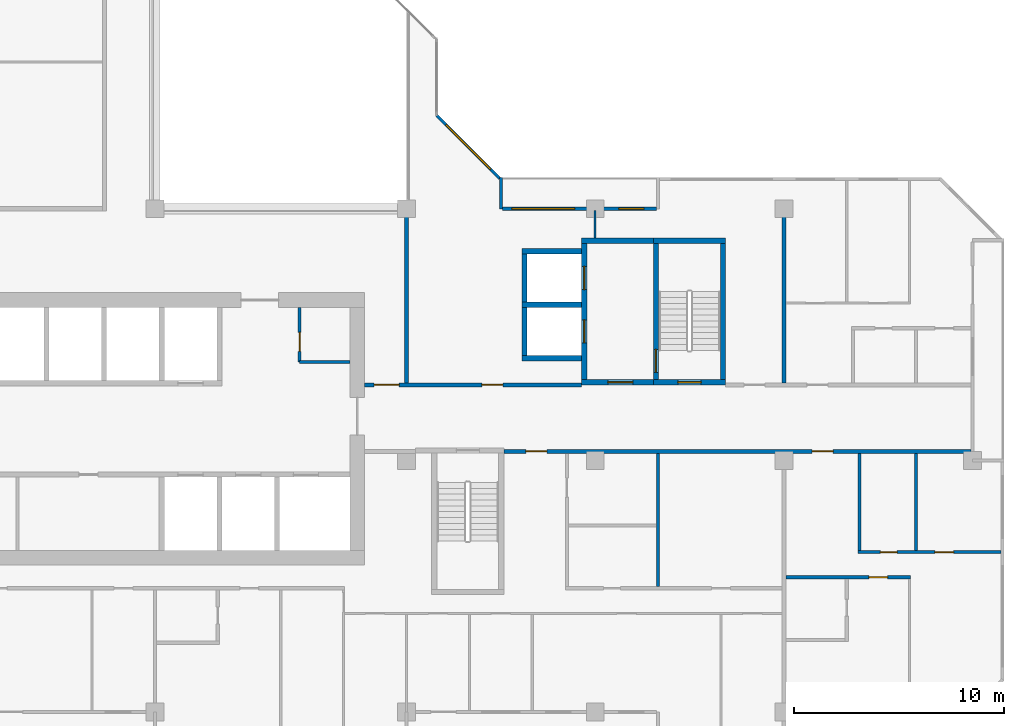
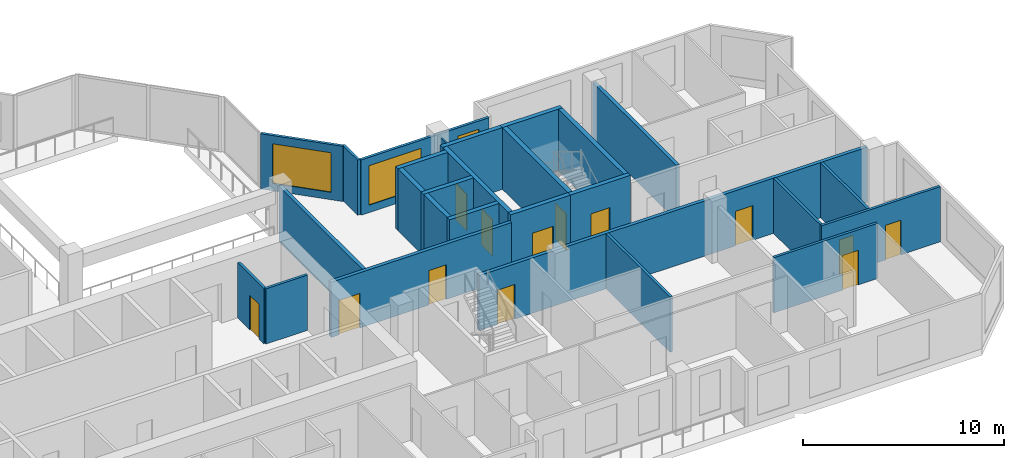
# One storey, part 7 of 14: 27 walls, 13 doors, 3 windows, 16 openings.
"""IFC4 building model written with IfcOpenShell, lengths in metres."""

from ifc_helpers import new_model, si_unit, direction, frame, frame_2d, origin, place, context, subcontext, project, spatial, rectangle, extrude, material, layer, layer_set, type_object, element, fill, save


model = new_model("IFC4")

# Units and contexts
model_context = context("Model", 3, precision=1e-05, world=origin(), true_north=direction((0.0, 1.0)))
body_context = subcontext(model_context, "Body", "Model", "MODEL_VIEW")
ifc_project = project(units=[si_unit("LENGTHUNIT", "METRE"), si_unit("AREAUNIT", "SQUARE_METRE"), si_unit("VOLUMEUNIT", "CUBIC_METRE"), si_unit("PLANEANGLEUNIT", "RADIAN"), si_unit("MASSUNIT", "GRAM", prefix="KILO")], contexts=[model_context])

# Site, building, storey
site_placement = place(None, origin())
site = spatial("IfcSite", under=ifc_project, at=site_placement, CompositionType="ELEMENT")
building_placement = place(site_placement, origin())
building = spatial("IfcBuilding", under=site, at=building_placement, Name="Chenar Terraces", CompositionType="ELEMENT")
storey_placement = place(building_placement, frame((0.0, 0.0, 230.39990234375)))
storey = spatial("IfcBuildingStorey", under=building, at=storey_placement, Name="L54", CompositionType="ELEMENT", Elevation=230.39990234375)

# Wall, opening, door
ifc_material_1 = material(Name="Gypsum board on steel studs", Category="steel")
ifc_layer_1 = layer(ifc_material_1, 0.14990234375)
ifc_layer_set_1 = layer_set([ifc_layer_1], Name="Gypsum board on steel studs")
wall_type_1 = type_object("IfcWallType", Name="Core partition 150 gypsum board", PredefinedType="PARTITIONING", material=ifc_layer_set_1)
wall_1_placement = place(storey_placement, frame((30.89990234375, 16.699951171875, 0.0), z_axis=(0.0, 0.0, 1.0), x_axis=(0.0, 1.0, 0.0)))
wall_1 = element("IfcWall", 1, at=wall_1_placement, inside=storey, type_object=wall_type_1, Name="Core partition CP1 vestibule room west wall", PredefinedType="PARTITIONING", context=body_context, shape_type="SweptSolid", body=[
    extrude(rectangle(XDim=2.60009765625, YDim=0.14990234375, at=frame_2d((1.300048828125, 0.0))), origin(), (0.0, 0.0, 1.0), 3.35009765625),
])
opening_1_placement = place(wall_1_placement, frame((0.5, 0.0, 0.0)))
opening_1 = element("IfcOpeningElement", 2, at=opening_1_placement, cuts=wall_1, Name="Opening DL54-C14", PredefinedType="OPENING", context=body_context, shape_type="SweptSolid", body=[
    extrude(rectangle(XDim=0.89990234375, YDim=2.10009765625, at=frame_2d((0.449951171875, 1.050048828125))), frame((0.0, 0.0849609375, 0.0), z_axis=(0.0, -1.0, 0.0), x_axis=(1.0, 0.0, 0.0)), (0.0, 0.0, 1.0), 0.169921875),
])
ifc_material_2 = material(Name="Steel-framed fire-resisting door leaf", Category="steel")
door_type_1 = type_object("IfcDoorType", Name="Riser fire door FD60 900 x 2100", OperationType="SINGLE_SWING_LEFT", PredefinedType="DOOR", material=ifc_material_2)
door_1_placement = place(opening_1_placement, frame((0.89990234375, 0.0, 0.0), z_axis=(0.0, 0.0, 1.0), x_axis=(-1.0, 0.0, 0.0)))
door_1 = element("IfcDoor", 3, at=door_1_placement, inside=storey, type_object=door_type_1, Name="Core room door DL54-C14", OperationType="SINGLE_SWING_RIGHT", OverallHeight=2.10009765625, OverallWidth=0.89990234375, PredefinedType="DOOR", context=body_context, shape_type="SweptSolid", body=[
    extrude(rectangle(XDim=0.89990234375, YDim=2.10009765625, at=frame_2d((0.449951171875, 1.050048828125))), frame((0.0, 0.02490234375, 0.0), z_axis=(0.0, -1.0, 0.0), x_axis=(1.0, 0.0, 0.0)), (0.0, 0.0, 1.0), 0.050048828125),
])
fill(opening_1, door_1)

# Wall
wall_2_placement = place(storey_placement, frame((30.89990234375, 16.699951171875, 0.0), z_axis=(0.0, 0.0, 1.0), x_axis=(1.0, 0.0, 0.0)))
element("IfcWall", 4, at=wall_2_placement, inside=storey, type_object=wall_type_1, Name="Core partition CP1 vestibule room south wall", PredefinedType="PARTITIONING", context=body_context, shape_type="SweptSolid", body=[
    extrude(rectangle(XDim=2.400146484375, YDim=0.14990234375, at=frame_2d((1.2001953125, 0.0))), origin(), (0.0, 0.0, 1.0), 3.35009765625),
])

# Wall, opening, door
ifc_material_3 = material(Name="Concrete C60/75", Category="concrete")
ifc_layer_2 = layer(ifc_material_3, 0.25)
ifc_layer_set_2 = layer_set([ifc_layer_2], Name="Concrete C60/75")
wall_type_2 = type_object("IfcWallType", Name="Core wall 250 Concrete C60/75", PredefinedType="SHEAR", material=ifc_layer_set_2)
wall_3_placement = place(storey_placement, frame((47.77490234375, 15.72509765625, 0.0), z_axis=(0.0, 0.0, 1.0), x_axis=(1.0, 0.0, 0.0)))
wall_3 = element("IfcWall", 5, at=wall_3_placement, inside=storey, type_object=wall_type_2, Name="Core wall ST3_S L54", PredefinedType="SHEAR", context=body_context, shape_type="SweptSolid", body=[
    extrude(rectangle(XDim=3.4501953125, YDim=0.25, at=frame_2d((1.72509765625, 0.0))), origin(), (0.0, 0.0, 1.0), 3.75),
])
opening_2_placement = place(wall_3_placement, frame((1.175048828125, 0.0, 0.0)))
opening_2 = element("IfcOpeningElement", 6, at=opening_2_placement, cuts=wall_3, Name="Opening DL54-C8", PredefinedType="OPENING", context=body_context, shape_type="SweptSolid", body=[
    extrude(rectangle(XDim=1.10009765625, YDim=2.199951171875, at=frame_2d((0.550048828125, 1.10009765625))), frame((0.0, 0.135009765625, 0.0), z_axis=(0.0, -1.0, 0.0), x_axis=(1.0, 0.0, 0.0)), (0.0, 0.0, 1.0), 0.27001953125),
])
ifc_material_4 = material(Name="Steel-framed fire-resisting door leaf", Category="steel")
door_type_2 = type_object("IfcDoorType", Name="Stair fire door FD60 1100 x 2200", OperationType="SINGLE_SWING_LEFT", PredefinedType="DOOR", material=ifc_material_4)
door_2_placement = place(opening_2_placement, frame((1.10009765625, 0.0, 0.0), z_axis=(0.0, 0.0, 1.0), x_axis=(-1.0, 0.0, 0.0)))
door_2 = element("IfcDoor", 7, at=door_2_placement, inside=storey, type_object=door_type_2, Name="Stair door DL54-C8", OperationType="SINGLE_SWING_LEFT", OverallHeight=2.199951171875, OverallWidth=1.10009765625, PredefinedType="DOOR", context=body_context, shape_type="SweptSolid", body=[
    extrude(rectangle(XDim=1.10009765625, YDim=2.199951171875, at=frame_2d((0.550048828125, 1.10009765625))), frame((0.0, 0.02490234375, 0.0), z_axis=(0.0, -1.0, 0.0), x_axis=(1.0, 0.0, 0.0)), (0.0, 0.0, 1.0), 0.050048828125),
])
fill(opening_2, door_2)

# Wall
wall_4_placement = place(storey_placement, frame((47.77490234375, 22.47509765625, 0.0), z_axis=(0.0, 0.0, 1.0), x_axis=(1.0, 0.0, 0.0)))
element("IfcWall", 8, at=wall_4_placement, inside=storey, type_object=wall_type_2, Name="Core wall ST3_N L54", PredefinedType="SHEAR", context=body_context, shape_type="SweptSolid", body=[
    extrude(rectangle(XDim=3.4501953125, YDim=0.25, at=frame_2d((1.72509765625, 0.0))), origin(), (0.0, 0.0, 1.0), 3.75),
])

# Wall, opening, door
wall_5_placement = place(storey_placement, frame((47.89990234375, 15.85009765625, 0.0), z_axis=(0.0, 0.0, 1.0), x_axis=(0.0, 1.0, 0.0)))
wall_5 = element("IfcWall", 9, at=wall_5_placement, inside=storey, type_object=wall_type_2, Name="Core wall ST3_W L54", PredefinedType="SHEAR", context=body_context, shape_type="SweptSolid", body=[
    extrude(rectangle(XDim=6.5, YDim=0.25, at=frame_2d((3.25, 0.0))), origin(), (0.0, 0.0, 1.0), 3.75),
])
opening_3_placement = place(wall_5_placement, frame((0.35009765625, 0.0, 0.0)))
opening_3 = element("IfcOpeningElement", 10, at=opening_3_placement, cuts=wall_5, Name="Opening DL54-C11", PredefinedType="OPENING", context=body_context, shape_type="SweptSolid", body=[
    extrude(rectangle(XDim=1.10009765625, YDim=2.199951171875, at=frame_2d((0.550048828125, 1.10009765625))), frame((0.0, 0.135009765625, 0.0), z_axis=(0.0, -1.0, 0.0), x_axis=(1.0, 0.0, 0.0)), (0.0, 0.0, 1.0), 0.27001953125),
])
door_3_placement = place(opening_3_placement, frame((1.10009765625, 0.0, 0.0), z_axis=(0.0, 0.0, 1.0), x_axis=(-1.0, 0.0, 0.0)))
door_3 = element("IfcDoor", 11, at=door_3_placement, inside=storey, type_object=door_type_2, Name="Stair door DL54-C11", OperationType="SINGLE_SWING_RIGHT", OverallHeight=2.199951171875, OverallWidth=1.10009765625, PredefinedType="DOOR", context=body_context, shape_type="SweptSolid", body=[
    extrude(rectangle(XDim=1.10009765625, YDim=2.199951171875, at=frame_2d((0.550048828125, 1.10009765625))), frame((0.0, 0.02490234375, 0.0), z_axis=(0.0, -1.0, 0.0), x_axis=(1.0, 0.0, 0.0)), (0.0, 0.0, 1.0), 0.050048828125),
])
fill(opening_3, door_3)

# Wall
wall_6_placement = place(storey_placement, frame((51.10009765625, 15.85009765625, 0.0), z_axis=(0.0, 0.0, 1.0), x_axis=(0.0, 1.0, 0.0)))
element("IfcWall", 12, at=wall_6_placement, inside=storey, type_object=wall_type_2, Name="Core wall ST3_E L54", PredefinedType="SHEAR", context=body_context, shape_type="SweptSolid", body=[
    extrude(rectangle(XDim=6.5, YDim=0.25, at=frame_2d((3.25, 0.0))), origin(), (0.0, 0.0, 1.0), 3.75),
])

# Wall, opening, door
wall_7_placement = place(storey_placement, frame((44.35009765625, 15.72509765625, 0.0), z_axis=(0.0, 0.0, 1.0), x_axis=(1.0, 0.0, 0.0)))
wall_7 = element("IfcWall", 13, at=wall_7_placement, inside=storey, type_object=wall_type_2, Name="Core wall F3_LS L54", PredefinedType="SHEAR", context=body_context, shape_type="SweptSolid", body=[
    extrude(rectangle(XDim=3.4248046875, YDim=0.25, at=frame_2d((1.71240234375, 0.0))), origin(), (0.0, 0.0, 1.0), 3.75),
])
opening_4_placement = place(wall_7_placement, frame((1.25, 0.0, 0.0)))
opening_4 = element("IfcOpeningElement", 14, at=opening_4_placement, cuts=wall_7, Name="Opening DL54-C10", PredefinedType="OPENING", context=body_context, shape_type="SweptSolid", body=[
    extrude(rectangle(XDim=1.199951171875, YDim=2.199951171875, at=frame_2d((0.60009765625, 1.10009765625))), frame((0.0, 0.135009765625, 0.0), z_axis=(0.0, -1.0, 0.0), x_axis=(1.0, 0.0, 0.0)), (0.0, 0.0, 1.0), 0.27001953125),
])
ifc_material_5 = material(Name="Steel-framed fire-resisting door leaf", Category="steel")
door_type_3 = type_object("IfcDoorType", Name="Lobby fire door FD60 1200 x 2200", OperationType="SINGLE_SWING_LEFT", PredefinedType="DOOR", material=ifc_material_5)
door_4_placement = place(opening_4_placement, origin())
door_4 = element("IfcDoor", 15, at=door_4_placement, inside=storey, type_object=door_type_3, Name="Core door DL54-C10", OperationType="SINGLE_SWING_RIGHT", OverallHeight=2.199951171875, OverallWidth=1.199951171875, PredefinedType="DOOR", context=body_context, shape_type="SweptSolid", body=[
    extrude(rectangle(XDim=1.199951171875, YDim=2.199951171875, at=frame_2d((0.60009765625, 1.10009765625))), frame((0.0, 0.02490234375, 0.0), z_axis=(0.0, -1.0, 0.0), x_axis=(1.0, 0.0, 0.0)), (0.0, 0.0, 1.0), 0.050048828125),
])
fill(opening_4, door_4)

# Wall
wall_8_placement = place(storey_placement, frame((44.35009765625, 22.47509765625, 0.0), z_axis=(0.0, 0.0, 1.0), x_axis=(1.0, 0.0, 0.0)))
element("IfcWall", 16, at=wall_8_placement, inside=storey, type_object=wall_type_2, Name="Core wall F3_LN L54", PredefinedType="SHEAR", context=body_context, shape_type="SweptSolid", body=[
    extrude(rectangle(XDim=3.4248046875, YDim=0.25, at=frame_2d((1.71240234375, 0.0))), origin(), (0.0, 0.0, 1.0), 3.75),
])

# Wall, openings, doors
wall_9_placement = place(storey_placement, frame((44.47509765625, 15.85009765625, 0.0), z_axis=(0.0, 0.0, 1.0), x_axis=(0.0, 1.0, 0.0)))
wall_9 = element("IfcWall", 17, at=wall_9_placement, inside=storey, type_object=wall_type_2, Name="Core wall F3_LW L54", PredefinedType="SHEAR", context=body_context, shape_type="SweptSolid", body=[
    extrude(rectangle(XDim=6.5, YDim=0.25, at=frame_2d((3.25, 0.0))), origin(), (0.0, 0.0, 1.0), 3.75),
])
opening_5_placement = place(wall_9_placement, frame((1.75, 0.0, 0.0)))
opening_5 = element("IfcOpeningElement", 18, at=opening_5_placement, cuts=wall_9, Name="Opening DL54-LD8", PredefinedType="OPENING", context=body_context, shape_type="SweptSolid", body=[
    extrude(rectangle(XDim=1.10009765625, YDim=2.199951171875, at=frame_2d((0.550048828125, 1.10009765625))), frame((0.0, 0.135009765625, 0.0), z_axis=(0.0, -1.0, 0.0), x_axis=(1.0, 0.0, 0.0)), (0.0, 0.0, 1.0), 0.27001953125),
])
opening_6_placement = place(wall_9_placement, frame((4.300048828125, 0.0, 0.0)))
opening_6 = element("IfcOpeningElement", 19, at=opening_6_placement, cuts=wall_9, Name="Opening DL54-LD9", PredefinedType="OPENING", context=body_context, shape_type="SweptSolid", body=[
    extrude(rectangle(XDim=1.10009765625, YDim=2.199951171875, at=frame_2d((0.550048828125, 1.10009765625))), frame((0.0, 0.135009765625, 0.0), z_axis=(0.0, -1.0, 0.0), x_axis=(1.0, 0.0, 0.0)), (0.0, 0.0, 1.0), 0.27001953125),
])
ifc_material_6 = material(Name="Stainless steel", Category="steel")
door_type_4 = type_object("IfcDoorType", Name="Lift landing door 1100 x 2200 sliding", OperationType="DOUBLE_DOOR_SLIDING", PredefinedType="DOOR", material=ifc_material_6)
door_5_placement = place(opening_5_placement, origin())
door_5 = element("IfcDoor", 20, at=door_5_placement, inside=storey, type_object=door_type_4, Name="Landing door F3", OperationType="DOUBLE_DOOR_SLIDING", OverallHeight=2.199951171875, OverallWidth=1.10009765625, PredefinedType="DOOR", context=body_context, shape_type="SweptSolid", body=[
    extrude(rectangle(XDim=1.10009765625, YDim=2.199951171875, at=frame_2d((0.550048828125, 1.10009765625))), frame((0.0, 0.02490234375, 0.0), z_axis=(0.0, -1.0, 0.0), x_axis=(1.0, 0.0, 0.0)), (0.0, 0.0, 1.0), 0.050048828125),
])
fill(opening_5, door_5)
door_6_placement = place(opening_6_placement, origin())
door_6 = element("IfcDoor", 21, at=door_6_placement, inside=storey, type_object=door_type_4, Name="Landing door F4", OperationType="DOUBLE_DOOR_SLIDING", OverallHeight=2.199951171875, OverallWidth=1.10009765625, PredefinedType="DOOR", context=body_context, shape_type="SweptSolid", body=[
    extrude(rectangle(XDim=1.10009765625, YDim=2.199951171875, at=frame_2d((0.550048828125, 1.10009765625))), frame((0.0, 0.02490234375, 0.0), z_axis=(0.0, -1.0, 0.0), x_axis=(1.0, 0.0, 0.0)), (0.0, 0.0, 1.0), 0.050048828125),
])
fill(opening_6, door_6)

# Walls
for number, where, z_axis, x_axis, name in (
    (22, (41.5, 16.875, 0.0), (0.0, 0.0, 1.0), (1.0, 0.0, 0.0), "Core wall F3_SS L54"),
    (23, (41.5, 19.425048828125, 0.0), (0.0, 0.0, 1.0), (1.0, 0.0, 0.0), "Core wall F3_SM L54"),
    (24, (41.5, 21.97509765625, 0.0), (0.0, 0.0, 1.0), (1.0, 0.0, 0.0), "Core wall F4_SN L54"),
):
    element("IfcWall", number, at=place(storey_placement, frame(where, z_axis=z_axis, x_axis=x_axis)), inside=storey, type_object=wall_type_2, Name=name, PredefinedType="SHEAR", context=body_context, shape_type="SweptSolid", body=[
        extrude(rectangle(XDim=2.85009765625, YDim=0.25, at=frame_2d((1.425048828125, 0.0))), origin(), (0.0, 0.0, 1.0), 3.75),
    ])
for number, where, z_axis, x_axis, name in (
    (25, (41.625, 17.0, 0.0), (0.0, 0.0, 1.0), (0.0, 1.0, 0.0), "Core wall F3_SW L54"),
    (26, (41.625, 19.550048828125, 0.0), (0.0, 0.0, 1.0), (0.0, 1.0, 0.0), "Core wall F4_SW L54"),
):
    element("IfcWall", number, at=place(storey_placement, frame(where, z_axis=z_axis, x_axis=x_axis)), inside=storey, type_object=wall_type_2, Name=name, PredefinedType="SHEAR", context=body_context, shape_type="SweptSolid", body=[
        extrude(rectangle(XDim=2.300048828125, YDim=0.25, at=frame_2d((1.14990234375, 0.0))), origin(), (0.0, 0.0, 1.0), 3.75),
    ])

# Wall, openings, doors
ifc_material_7 = material(Name="Gypsum board on steel studs with fire boards", Category="steel")
ifc_layer_3 = layer(ifc_material_7, 0.199951171875)
ifc_layer_set_3 = layer_set([ifc_layer_3], Name="Gypsum board on steel studs with fire boards")
wall_type_3 = type_object("IfcWallType", Name="Corridor wall 200", PredefinedType="PARTITIONING", material=ifc_layer_set_3)
wall_10_placement = place(storey_placement, frame((34.0, 15.60009765625, 0.0), z_axis=(0.0, 0.0, 1.0), x_axis=(1.0, 0.0, 0.0)))
wall_10 = element("IfcWall", 27, at=wall_10_placement, inside=storey, type_object=wall_type_3, Name="Partition L54-059", PredefinedType="PARTITIONING", context=body_context, shape_type="SweptSolid", body=[
    extrude(rectangle(XDim=10.35009765625, YDim=0.199951171875, at=frame_2d((5.175048828125, 0.0))), origin(), (0.0, 0.0, 1.0), 3.35009765625),
])
opening_7_placement = place(wall_10_placement, frame((5.60009765625, 0.0, 0.0)))
opening_7 = element("IfcOpeningElement", 28, at=opening_7_placement, cuts=wall_10, Name="Opening DL54-3", PredefinedType="OPENING", context=body_context, shape_type="SweptSolid", body=[
    extrude(rectangle(XDim=1.0, YDim=2.10009765625, at=frame_2d((0.5, 1.050048828125))), frame((0.0, 0.10986328125, 0.0), z_axis=(0.0, -1.0, 0.0), x_axis=(1.0, 0.0, 0.0)), (0.0, 0.0, 1.0), 0.219970703125),
])
opening_8_placement = place(wall_10_placement, frame((0.449951171875, 0.0, 0.0)))
opening_8 = element("IfcOpeningElement", 29, at=opening_8_placement, cuts=wall_10, Name="Opening DL54-38", PredefinedType="OPENING", context=body_context, shape_type="SweptSolid", body=[
    extrude(rectangle(XDim=1.199951171875, YDim=2.10009765625, at=frame_2d((0.60009765625, 1.050048828125))), frame((0.0, 0.10986328125, 0.0), z_axis=(0.0, -1.0, 0.0), x_axis=(1.0, 0.0, 0.0)), (0.0, 0.0, 1.0), 0.219970703125),
])
ifc_material_8 = material(Name="Steel-framed fire-resisting door leaf", Category="steel")
door_type_5 = type_object("IfcDoorType", Name="Fire door FD60 1000 x 2100", OperationType="SINGLE_SWING_LEFT", PredefinedType="DOOR", material=ifc_material_8)
door_7_placement = place(opening_7_placement, origin())
door_7 = element("IfcDoor", 30, at=door_7_placement, inside=storey, type_object=door_type_5, Name="Door DL54-3", OperationType="SINGLE_SWING_RIGHT", OverallHeight=2.10009765625, OverallWidth=1.0, PredefinedType="DOOR", context=body_context, shape_type="SweptSolid", body=[
    extrude(rectangle(XDim=1.0, YDim=2.10009765625, at=frame_2d((0.5, 1.050048828125))), frame((0.0, 0.02490234375, 0.0), z_axis=(0.0, -1.0, 0.0), x_axis=(1.0, 0.0, 0.0)), (0.0, 0.0, 1.0), 0.050048828125),
])
fill(opening_7, door_7)
ifc_material_9 = material(Name="Steel-framed fire-resisting door leaf", Category="steel")
door_type_6 = type_object("IfcDoorType", Name="Fire door FD60 1200 x 2100", OperationType="SINGLE_SWING_LEFT", PredefinedType="DOOR", material=ifc_material_9)
door_8_placement = place(opening_8_placement, origin())
door_8 = element("IfcDoor", 31, at=door_8_placement, inside=storey, type_object=door_type_6, Name="Door DL54-38", OperationType="SINGLE_SWING_RIGHT", OverallHeight=2.10009765625, OverallWidth=1.199951171875, PredefinedType="DOOR", context=body_context, shape_type="SweptSolid", body=[
    extrude(rectangle(XDim=1.199951171875, YDim=2.10009765625, at=frame_2d((0.60009765625, 1.050048828125))), frame((0.0, 0.02490234375, 0.0), z_axis=(0.0, -1.0, 0.0), x_axis=(1.0, 0.0, 0.0)), (0.0, 0.0, 1.0), 0.050048828125),
])
fill(opening_8, door_8)

# Wall
wall_11_placement = place(storey_placement, frame((36.0, 15.699951171875, 0.0), z_axis=(0.0, 0.0, 1.0), x_axis=(0.0, 1.0, 0.0)))
element("IfcWall", 32, at=wall_11_placement, inside=storey, type_object=wall_type_3, Name="Partition L54-061", PredefinedType="PARTITIONING", context=body_context, shape_type="SweptSolid", body=[
    extrude(rectangle(XDim=8.300048828125, YDim=0.199951171875, at=frame_2d((4.14990234375, 0.0))), origin(), (0.0, 0.0, 1.0), 3.35009765625),
])

# Wall, openings, doors
wall_12_placement = place(storey_placement, frame((40.64990234375, 12.425048828125, 0.0), z_axis=(0.0, 0.0, 1.0), x_axis=(1.0, 0.0, 0.0)))
wall_12 = element("IfcWall", 33, at=wall_12_placement, inside=storey, type_object=wall_type_3, Name="Partition L54-063", PredefinedType="PARTITIONING", context=body_context, shape_type="SweptSolid", body=[
    extrude(rectangle(XDim=22.276123046875, YDim=0.199951171875, at=frame_2d((11.13818359375, 0.0))), origin(), (0.0, 0.0, 1.0), 3.35009765625),
])
opening_9_placement = place(wall_12_placement, frame((14.699951171875, 0.0, 0.0)))
opening_9 = element("IfcOpeningElement", 34, at=opening_9_placement, cuts=wall_12, Name="Opening DL54-13", PredefinedType="OPENING", context=body_context, shape_type="SweptSolid", body=[
    extrude(rectangle(XDim=1.0, YDim=2.10009765625, at=frame_2d((0.5, 1.050048828125))), frame((0.0, 0.10986328125, 0.0), z_axis=(0.0, -1.0, 0.0), x_axis=(1.0, 0.0, 0.0)), (0.0, 0.0, 1.0), 0.219970703125),
])
opening_10_placement = place(wall_12_placement, frame((1.050048828125, 0.0, 0.0)))
opening_10 = element("IfcOpeningElement", 35, at=opening_10_placement, cuts=wall_12, Name="Opening DL54-56", PredefinedType="OPENING", context=body_context, shape_type="SweptSolid", body=[
    extrude(rectangle(XDim=1.0, YDim=2.10009765625, at=frame_2d((0.5, 1.050048828125))), frame((0.0, 0.10986328125, 0.0), z_axis=(0.0, -1.0, 0.0), x_axis=(1.0, 0.0, 0.0)), (0.0, 0.0, 1.0), 0.219970703125),
])
ifc_material_10 = material(Name="Steel-framed fire-resisting door leaf", Category="steel")
door_type_7 = type_object("IfcDoorType", Name="Fire door FD30S 1000 x 2100", OperationType="SINGLE_SWING_LEFT", PredefinedType="DOOR", material=ifc_material_10)
door_9_placement = place(opening_9_placement, frame((1.0, 0.0, 0.0), z_axis=(0.0, 0.0, 1.0), x_axis=(-1.0, 0.0, 0.0)))
door_9 = element("IfcDoor", 36, at=door_9_placement, inside=storey, type_object=door_type_7, Name="Door DL54-13", OperationType="SINGLE_SWING_RIGHT", OverallHeight=2.10009765625, OverallWidth=1.0, PredefinedType="DOOR", context=body_context, shape_type="SweptSolid", body=[
    extrude(rectangle(XDim=1.0, YDim=2.10009765625, at=frame_2d((0.5, 1.050048828125))), frame((0.0, 0.02490234375, 0.0), z_axis=(0.0, -1.0, 0.0), x_axis=(1.0, 0.0, 0.0)), (0.0, 0.0, 1.0), 0.050048828125),
])
fill(opening_9, door_9)
door_10_placement = place(opening_10_placement, origin())
door_10 = element("IfcDoor", 37, at=door_10_placement, inside=storey, type_object=door_type_7, Name="Door DL54-56", OperationType="SINGLE_SWING_LEFT", OverallHeight=2.10009765625, OverallWidth=1.0, PredefinedType="DOOR", context=body_context, shape_type="SweptSolid", body=[
    extrude(rectangle(XDim=1.0, YDim=2.10009765625, at=frame_2d((0.5, 1.050048828125))), frame((0.0, 0.02490234375, 0.0), z_axis=(0.0, -1.0, 0.0), x_axis=(1.0, 0.0, 0.0)), (0.0, 0.0, 1.0), 0.050048828125),
])
fill(opening_10, door_10)

# Wall, openings, windows
ifc_material_11 = material(Name="Aluminium framed glazing", Category="aluminium")
ifc_layer_4 = layer(ifc_material_11, 0.14990234375)
ifc_layer_set_4 = layer_set([ifc_layer_4], Name="Aluminium framed glazing")
wall_type_4 = type_object("IfcWallType", Name="Glazed loggia back wall 150", PredefinedType="SOLIDWALL", material=ifc_layer_set_4)
wall_13_placement = place(storey_placement, frame((47.925048828125, 24.0, 0.0), z_axis=(0.0, 0.0, 1.0), x_axis=(-1.0, 0.0, 0.0)))
wall_13 = element("IfcWall", 38, at=wall_13_placement, inside=storey, type_object=wall_type_4, Name="Glazed loggia back wall", PredefinedType="SOLIDWALL", context=body_context, shape_type="SweptSolid", body=[
    extrude(rectangle(XDim=7.35009765625, YDim=0.14990234375, at=frame_2d((3.675048828125, 0.0))), origin(), (0.0, 0.0, 1.0), 3.35009765625),
])
opening_11_placement = place(wall_13_placement, frame((0.60009765625, 0.0, 0.449951171875)))
opening_11 = element("IfcOpeningElement", 39, at=opening_11_placement, cuts=wall_13, Name="Opening W120x240", PredefinedType="OPENING", context=body_context, shape_type="SweptSolid", body=[
    extrude(rectangle(XDim=1.199951171875, YDim=2.39990234375, at=frame_2d((0.60009765625, 1.199951171875))), frame((0.0, 0.0849609375, 0.0), z_axis=(0.0, -1.0, 0.0), x_axis=(1.0, 0.0, 0.0)), (0.0, 0.0, 1.0), 0.169921875),
])
opening_12_placement = place(wall_13_placement, frame((3.89990234375, 0.0, 0.449951171875)))
opening_12 = element("IfcOpeningElement", 40, at=opening_12_placement, cuts=wall_13, Name="Opening W300x240", PredefinedType="OPENING", context=body_context, shape_type="SweptSolid", body=[
    extrude(rectangle(XDim=3.0, YDim=2.39990234375, at=frame_2d((1.5, 1.199951171875))), frame((0.0, 0.0849609375, 0.0), z_axis=(0.0, -1.0, 0.0), x_axis=(1.0, 0.0, 0.0)), (0.0, 0.0, 1.0), 0.169921875),
])
ifc_material_12 = material(Name="Low emissivity double glazing, aluminium frame", Category="aluminium")
window_type_1 = type_object("IfcWindowType", Name="Fixed light 1200 x 2400", PartitioningType="SINGLE_PANEL", PredefinedType="WINDOW", material=ifc_material_12)
window_1_placement = place(opening_11_placement, origin())
window_1 = element("IfcWindow", 41, at=window_1_placement, inside=storey, type_object=window_type_1, Name="Window", OverallHeight=2.39990234375, OverallWidth=1.199951171875, PartitioningType="SINGLE_PANEL", PredefinedType="WINDOW", context=body_context, shape_type="SweptSolid", body=[
    extrude(rectangle(XDim=1.199951171875, YDim=2.39990234375, at=frame_2d((0.60009765625, 1.199951171875))), frame((0.0, 0.030029296875, 0.0), z_axis=(0.0, -1.0, 0.0), x_axis=(1.0, 0.0, 0.0)), (0.0, 0.0, 1.0), 0.06005859375),
])
fill(opening_11, window_1)
ifc_material_13 = material(Name="Low emissivity double glazing, aluminium frame", Category="aluminium")
window_type_2 = type_object("IfcWindowType", Name="Fixed light 3000 x 2400", PartitioningType="SINGLE_PANEL", PredefinedType="WINDOW", material=ifc_material_13)
window_2_placement = place(opening_12_placement, origin())
window_2 = element("IfcWindow", 42, at=window_2_placement, inside=storey, type_object=window_type_2, Name="Window", OverallHeight=2.39990234375, OverallWidth=3.0, PartitioningType="SINGLE_PANEL", PredefinedType="WINDOW", context=body_context, shape_type="SweptSolid", body=[
    extrude(rectangle(XDim=3.0, YDim=2.39990234375, at=frame_2d((1.5, 1.199951171875))), frame((0.0, 0.030029296875, 0.0), z_axis=(0.0, -1.0, 0.0), x_axis=(1.0, 0.0, 0.0)), (0.0, 0.0, 1.0), 0.06005859375),
])
fill(opening_12, window_2)

# Walls
ifc_material_14 = material(Name="Gypsum board on steel studs", Category="steel")
ifc_layer_5 = layer(ifc_material_14, 0.10009765625)
ifc_layer_set_5 = layer_set([ifc_layer_5], Name="Gypsum board on steel studs")
wall_type_5 = type_object("IfcWallType", Name="Gypsum partition 100", PredefinedType="PARTITIONING", material=ifc_layer_set_5)
wall_14_placement = place(storey_placement, frame((45.0, 22.60009765625, 0.0), z_axis=(0.0, 0.0, 1.0), x_axis=(0.0, 1.0, 0.0)))
element("IfcWall", 43, at=wall_14_placement, inside=storey, type_object=wall_type_5, Name="Partition L54-068", PredefinedType="PARTITIONING", context=body_context, shape_type="SweptSolid", body=[
    extrude(rectangle(XDim=1.325927734375, YDim=0.10009765625, at=frame_2d((0.6630859375, 0.0))), origin(), (0.0, 0.0, 1.0), 3.35009765625),
])
ifc_material_15 = material(Name="Terracotta cladding on insulated backing", Category="masonry")
ifc_layer_6 = layer(ifc_material_15, 0.14990234375)
ifc_layer_set_6 = layer_set([ifc_layer_6], Name="Terracotta cladding on insulated backing")
wall_type_6 = type_object("IfcWallType", Name="Loggia return wall 150", PredefinedType="SOLIDWALL", material=ifc_layer_set_6)
wall_15_placement = place(storey_placement, frame((40.5, 25.5, 0.0), z_axis=(0.0, 0.0, 1.0), x_axis=(0.0, -1.0, 0.0)))
element("IfcWall", 44, at=wall_15_placement, inside=storey, type_object=wall_type_6, Name="Loggia return wall", PredefinedType="SOLIDWALL", context=body_context, shape_type="SweptSolid", body=[
    extrude(rectangle(XDim=1.5, YDim=0.14990234375, at=frame_2d((0.75, 0.0))), origin(), (0.0, 0.0, 1.0), 3.35009765625),
])

# Wall, opening, window
ifc_material_16 = material(Name="Terracotta cladding on insulated backing", Category="masonry")
ifc_layer_7 = layer(ifc_material_16, 0.14990234375)
ifc_layer_set_7 = layer_set([ifc_layer_7], Name="Terracotta cladding on insulated backing")
wall_type_7 = type_object("IfcWallType", Name="Terracotta rainscreen wall 150", PredefinedType="SOLIDWALL", material=ifc_layer_set_7)
wall_16_placement = place(storey_placement, frame((40.447021484375, 25.447021484375, 0.0), z_axis=(0.0, 0.0, 1.0), x_axis=(-0.707106781187, 0.707106781187, 0.0)))
wall_16 = element("IfcWall", 45, at=wall_16_placement, inside=storey, type_object=wall_type_7, Name="Terracotta rainscreen wall", PredefinedType="SOLIDWALL", context=body_context, shape_type="SweptSolid", body=[
    extrude(rectangle(XDim=4.24267578125, YDim=0.14990234375, at=frame_2d((2.121337890625, 0.0))), origin(), (0.0, 0.0, 1.0), 3.35009765625),
])
opening_13_placement = place(wall_16_placement, frame((0.621337890625, 0.0, 0.449951171875)))
opening_13 = element("IfcOpeningElement", 46, at=opening_13_placement, cuts=wall_16, Name="Opening W300x240", PredefinedType="OPENING", context=body_context, shape_type="SweptSolid", body=[
    extrude(rectangle(XDim=3.0, YDim=2.39990234375, at=frame_2d((1.5, 1.199951171875))), frame((0.0, 0.0849609375, 0.0), z_axis=(0.0, -1.0, 0.0), x_axis=(1.0, 0.0, 0.0)), (0.0, 0.0, 1.0), 0.169921875),
])
window_3_placement = place(opening_13_placement, origin())
window_3 = element("IfcWindow", 47, at=window_3_placement, inside=storey, type_object=window_type_2, Name="Window", OverallHeight=2.39990234375, OverallWidth=3.0, PartitioningType="SINGLE_PANEL", PredefinedType="WINDOW", context=body_context, shape_type="SweptSolid", body=[
    extrude(rectangle(XDim=3.0, YDim=2.39990234375, at=frame_2d((1.5, 1.199951171875))), frame((0.0, 0.030029296875, 0.0), z_axis=(0.0, -1.0, 0.0), x_axis=(1.0, 0.0, 0.0)), (0.0, 0.0, 1.0), 0.06005859375),
])
fill(opening_13, window_3)

# Walls
ifc_material_17 = material(Name="Twin gypsum board on steel studs with mineral wool", Category="steel")
ifc_layer_8 = layer(ifc_material_17, 0.199951171875)
ifc_layer_set_8 = layer_set([ifc_layer_8], Name="Twin gypsum board on steel studs with mineral wool")
wall_type_8 = type_object("IfcWallType", Name="Unit demising wall 200", PredefinedType="PARTITIONING", material=ifc_layer_set_8)
wall_17_placement = place(storey_placement, frame((54.0, 15.699951171875, 0.0), z_axis=(0.0, 0.0, 1.0), x_axis=(0.0, 1.0, 0.0)))
element("IfcWall", 48, at=wall_17_placement, inside=storey, type_object=wall_type_8, Name="Partition L54-073", PredefinedType="PARTITIONING", context=body_context, shape_type="SweptSolid", body=[
    extrude(rectangle(XDim=8.300048828125, YDim=0.199951171875, at=frame_2d((4.14990234375, 0.0))), origin(), (0.0, 0.0, 1.0), 3.35009765625),
])
ifc_material_18 = material(Name="Moisture-resistant gypsum board on steel studs", Category="steel")
ifc_layer_9 = layer(ifc_material_18, 0.14990234375)
ifc_layer_set_9 = layer_set([ifc_layer_9], Name="Moisture-resistant gypsum board on steel studs")
wall_type_9 = type_object("IfcWallType", Name="Wet-room partition 150", PredefinedType="PARTITIONING", material=ifc_layer_set_9)
wall_18_placement = place(storey_placement, frame((48.0, 5.97509765625, 0.0), z_axis=(0.0, 0.0, 1.0), x_axis=(0.0, 1.0, 0.0)))
element("IfcWall", 49, at=wall_18_placement, inside=storey, type_object=wall_type_9, Name="Partition L54-069", PredefinedType="PARTITIONING", context=body_context, shape_type="SweptSolid", body=[
    extrude(rectangle(XDim=6.349853515625, YDim=0.14990234375, at=frame_2d((3.1748046875, 0.0))), origin(), (0.0, 0.0, 1.0), 3.35009765625),
])

# Wall, opening, door
wall_19_placement = place(storey_placement, frame((54.10009765625, 6.425048828125, 0.0), z_axis=(0.0, 0.0, 1.0), x_axis=(1.0, 0.0, 0.0)))
wall_19 = element("IfcWall", 50, at=wall_19_placement, inside=storey, type_object=wall_type_9, Name="Partition L54-075", PredefinedType="PARTITIONING", context=body_context, shape_type="SweptSolid", body=[
    extrude(rectangle(XDim=5.949951171875, YDim=0.14990234375, at=frame_2d((2.97509765625, 0.0))), origin(), (0.0, 0.0, 1.0), 3.35009765625),
])
opening_14_placement = place(wall_19_placement, frame((3.949951171875, 0.0, 0.0)))
opening_14 = element("IfcOpeningElement", 51, at=opening_14_placement, cuts=wall_19, Name="Opening DL54-10", PredefinedType="OPENING", context=body_context, shape_type="SweptSolid", body=[
    extrude(rectangle(XDim=0.89990234375, YDim=2.10009765625, at=frame_2d((0.449951171875, 1.050048828125))), frame((0.0, 0.0849609375, 0.0), z_axis=(0.0, -1.0, 0.0), x_axis=(1.0, 0.0, 0.0)), (0.0, 0.0, 1.0), 0.169921875),
])
ifc_material_19 = material(Name="Veneered timber door leaf", Category="wood")
door_type_8 = type_object("IfcDoorType", Name="Door 900 x 2100", OperationType="SINGLE_SWING_LEFT", PredefinedType="DOOR", material=ifc_material_19)
door_11_placement = place(opening_14_placement, frame((0.89990234375, 0.0, 0.0), z_axis=(0.0, 0.0, 1.0), x_axis=(-1.0, 0.0, 0.0)))
door_11 = element("IfcDoor", 52, at=door_11_placement, inside=storey, type_object=door_type_8, Name="Door DL54-10", OperationType="SINGLE_SWING_LEFT", OverallHeight=2.10009765625, OverallWidth=0.89990234375, PredefinedType="DOOR", context=body_context, shape_type="SweptSolid", body=[
    extrude(rectangle(XDim=0.89990234375, YDim=2.10009765625, at=frame_2d((0.449951171875, 1.050048828125))), frame((0.0, 0.02490234375, 0.0), z_axis=(0.0, -1.0, 0.0), x_axis=(1.0, 0.0, 0.0)), (0.0, 0.0, 1.0), 0.050048828125),
])
fill(opening_14, door_11)

# Wall, openings, doors
wall_20_placement = place(storey_placement, frame((57.52490234375, 7.625, 0.0), z_axis=(0.0, 0.0, 1.0), x_axis=(1.0, 0.0, 0.0)))
wall_20 = element("IfcWall", 53, at=wall_20_placement, inside=storey, type_object=wall_type_9, Name="Partition L54-081", PredefinedType="PARTITIONING", context=body_context, shape_type="SweptSolid", body=[
    extrude(rectangle(XDim=6.8251953125, YDim=0.14990234375, at=frame_2d((3.41259765625, 0.0))), origin(), (0.0, 0.0, 1.0), 3.35009765625),
])
opening_15_placement = place(wall_20_placement, frame((1.074951171875, 0.0, 0.0)))
opening_15 = element("IfcOpeningElement", 54, at=opening_15_placement, cuts=wall_20, Name="Opening DL54-9", PredefinedType="OPENING", context=body_context, shape_type="SweptSolid", body=[
    extrude(rectangle(XDim=0.800048828125, YDim=2.10009765625, at=frame_2d((0.39990234375, 1.050048828125))), frame((0.0, 0.0849609375, 0.0), z_axis=(0.0, -1.0, 0.0), x_axis=(1.0, 0.0, 0.0)), (0.0, 0.0, 1.0), 0.169921875),
])
opening_16_placement = place(wall_20_placement, frame((3.675048828125, 0.0, 0.0)))
opening_16 = element("IfcOpeningElement", 55, at=opening_16_placement, cuts=wall_20, Name="Opening DL54-12", PredefinedType="OPENING", context=body_context, shape_type="SweptSolid", body=[
    extrude(rectangle(XDim=0.89990234375, YDim=2.10009765625, at=frame_2d((0.449951171875, 1.050048828125))), frame((0.0, 0.0849609375, 0.0), z_axis=(0.0, -1.0, 0.0), x_axis=(1.0, 0.0, 0.0)), (0.0, 0.0, 1.0), 0.169921875),
])
ifc_material_20 = material(Name="Veneered timber door leaf", Category="wood")
door_type_9 = type_object("IfcDoorType", Name="Door 800 x 2100", OperationType="SINGLE_SWING_LEFT", PredefinedType="DOOR", material=ifc_material_20)
door_12_placement = place(opening_15_placement, origin())
door_12 = element("IfcDoor", 56, at=door_12_placement, inside=storey, type_object=door_type_9, Name="Door DL54-9", OperationType="SINGLE_SWING_RIGHT", OverallHeight=2.10009765625, OverallWidth=0.800048828125, PredefinedType="DOOR", context=body_context, shape_type="SweptSolid", body=[
    extrude(rectangle(XDim=0.800048828125, YDim=2.10009765625, at=frame_2d((0.39990234375, 1.050048828125))), frame((0.0, 0.02490234375, 0.0), z_axis=(0.0, -1.0, 0.0), x_axis=(1.0, 0.0, 0.0)), (0.0, 0.0, 1.0), 0.050048828125),
])
fill(opening_15, door_12)
door_13_placement = place(opening_16_placement, origin())
door_13 = element("IfcDoor", 57, at=door_13_placement, inside=storey, type_object=door_type_8, Name="Door DL54-12", OperationType="SINGLE_SWING_LEFT", OverallHeight=2.10009765625, OverallWidth=0.89990234375, PredefinedType="DOOR", context=body_context, shape_type="SweptSolid", body=[
    extrude(rectangle(XDim=0.89990234375, YDim=2.10009765625, at=frame_2d((0.449951171875, 1.050048828125))), frame((0.0, 0.02490234375, 0.0), z_axis=(0.0, -1.0, 0.0), x_axis=(1.0, 0.0, 0.0)), (0.0, 0.0, 1.0), 0.050048828125),
])
fill(opening_16, door_13)

# Walls
for number, where, z_axis, x_axis, name in (
    (58, (57.60009765625, 7.699951171875, 0.0), (0.0, 0.0, 1.0), (0.0, 1.0, 0.0), "Partition L54-082"),
    (59, (60.300048828125, 7.699951171875, 0.0), (0.0, 0.0, 1.0), (0.0, 1.0, 0.0), "Partition L54-085"),
):
    element("IfcWall", number, at=place(storey_placement, frame(where, z_axis=z_axis, x_axis=x_axis)), inside=storey, type_object=wall_type_9, Name=name, PredefinedType="PARTITIONING", context=body_context, shape_type="SweptSolid", body=[
        extrude(rectangle(XDim=4.625, YDim=0.14990234375, at=frame_2d((2.3125, 0.0))), origin(), (0.0, 0.0, 1.0), 3.35009765625),
    ])

save(model, "model.ifc")
